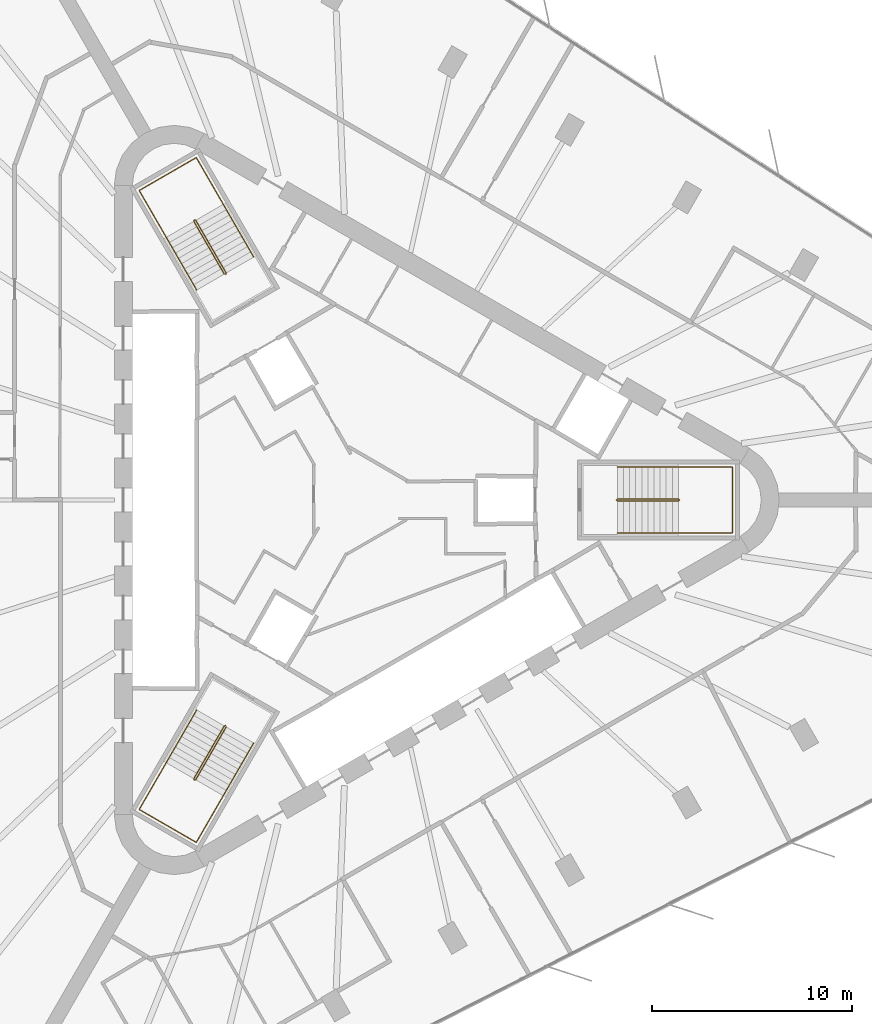
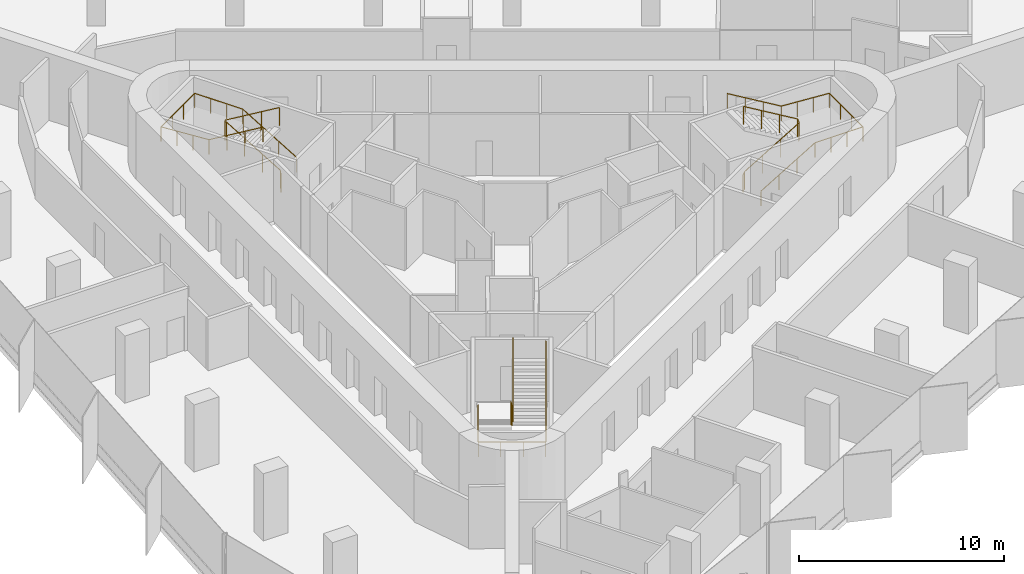
# One storey, part 14 of 14: 6 railings.
"""IFC4 building model written with IfcOpenShell, lengths in metres."""

from ifc_helpers import new_model, si_unit, direction, frame, origin, origin_2d, place, context, subcontext, project, spatial, circle, extrude, material, type_object, element, save


model = new_model("IFC4")

# Units and contexts
model_context = context("Model", 3, precision=1e-05, world=origin(), true_north=direction((0.0, 1.0)))
body_context = subcontext(model_context, "Body", "Model", "MODEL_VIEW")
ifc_project = project(units=[si_unit("LENGTHUNIT", "METRE"), si_unit("AREAUNIT", "SQUARE_METRE"), si_unit("VOLUMEUNIT", "CUBIC_METRE"), si_unit("PLANEANGLEUNIT", "RADIAN"), si_unit("MASSUNIT", "GRAM", prefix="KILO")], contexts=[model_context])

# Site, building, storey
site_placement = place(None, origin())
site = spatial("IfcSite", under=ifc_project, at=site_placement, CompositionType="ELEMENT")
building_placement = place(site_placement, origin())
building = spatial("IfcBuilding", under=site, at=building_placement, Name="Tanit Gate Tower", CompositionType="ELEMENT")
storey_placement = place(building_placement, frame((0.0, 0.0, 257.199951171875)))
storey = spatial("IfcBuildingStorey", under=building, at=storey_placement, Name="L58", CompositionType="ELEMENT", Elevation=257.199951171875)

# Railings
ifc_material_1 = material(Name="Stainless steel balustrade", Category="steel")
railing_type_1 = type_object("IfcRailingType", Name="INT-STAIR-GUARD", PredefinedType="GUARDRAIL", material=ifc_material_1)
railing_1_placement = place(storey_placement, frame((13.044921875, 0.0048828125, 0.0)))
element("IfcRailing", 1, at=railing_1_placement, inside=storey, type_object=railing_type_1, Name="L58 S1 stair guard 1", PredefinedType="GUARDRAIL", context=body_context, shape_type="SweptSolid", body=[
    extrude(circle(Radius=0.02392578125, at=origin_2d()), frame((0.0, 0.0, 1.076171875), z_axis=(0.0, -1.0, 0.0), x_axis=(1.0, 0.0, 0.0)), (0.0, 0.0, 1.0), 0.009765625),
    extrude(circle(Radius=0.02392578125, at=origin_2d()), frame((0.0, -0.009765625, 1.076171875), z_axis=(0.256435381639, -0.256435381639, 0.931923704005), x_axis=(0.707106781187, 0.707106781187, 0.0)), (0.0, 0.0, 1.0), 0.195068359375),
    extrude(circle(Radius=0.02392578125, at=origin_2d()), frame((0.050048828125, -0.059814453125, 1.2578125), z_axis=(0.859041732319, 0.0, 0.511905559781), x_axis=(0.0, 1.0, 0.0)), (0.0, 0.0, 1.0), 3.5517578125),
    extrude(circle(Radius=0.02392578125, at=origin_2d()), frame((3.10107421875, -0.059814453125, 3.076171875), z_axis=(0.707106781187, 0.707106781187, 0.0), x_axis=(-0.707106781187, 0.707106781187, 0.0)), (0.0, 0.0, 1.0), 0.07080078125),
    extrude(circle(Radius=0.02392578125, at=origin_2d()), frame((3.151123046875, -0.009765625, 3.076171875), z_axis=(0.0, 1.0, 0.0), x_axis=(-1.0, 0.0, 0.0)), (0.0, 0.0, 1.0), 0.009765625),
    extrude(circle(Radius=0.02392578125, at=origin_2d()), frame((3.151123046875, 0.0, 3.076171875), z_axis=(-0.256435381639, 0.256435381639, 0.931923704005), x_axis=(-0.707106781187, -0.707106781187, 0.0)), (0.0, 0.0, 1.0), 0.195068359375),
    extrude(circle(Radius=0.02392578125, at=origin_2d()), frame((3.10107421875, 0.050048828125, 3.2578125), z_axis=(-0.859041732319, 0.0, 0.511905559781), x_axis=(0.0, -1.0, 0.0)), (0.0, 0.0, 1.0), 3.5517578125),
    extrude(circle(Radius=0.02099609375, at=origin_2d()), origin(), (0.0, 0.0, 1.0), 1.052001953125),
    extrude(circle(Radius=0.02099609375, at=origin_2d()), frame((0.0, -0.009765625, 0.0)), (0.0, 0.0, 1.0), 1.052001953125),
    extrude(circle(Radius=0.02099609375, at=origin_2d()), frame((0.050048828125, -0.059814453125, 0.181884765625)), (0.0, 0.0, 1.0), 1.052001953125),
    extrude(circle(Radius=0.02099609375, at=origin_2d()), frame((1.067138671875, -0.059814453125, 0.787841796875)), (0.0, 0.0, 1.0), 1.052001953125),
    extrude(circle(Radius=0.02099609375, at=origin_2d()), frame((2.083984375, -0.059814453125, 1.39404296875)), (0.0, 0.0, 1.0), 1.052001953125),
    extrude(circle(Radius=0.02099609375, at=origin_2d()), frame((3.10107421875, -0.059814453125, 2.0)), (0.0, 0.0, 1.0), 1.052001953125),
    extrude(circle(Radius=0.02099609375, at=origin_2d()), frame((3.151123046875, -0.009765625, 2.0)), (0.0, 0.0, 1.0), 1.052001953125),
    extrude(circle(Radius=0.02099609375, at=origin_2d()), frame((3.151123046875, 0.0, 2.0)), (0.0, 0.0, 1.0), 1.052001953125),
    extrude(circle(Radius=0.02099609375, at=origin_2d()), frame((3.10107421875, 0.050048828125, 2.181884765625)), (0.0, 0.0, 1.0), 1.052001953125),
    extrude(circle(Radius=0.02099609375, at=origin_2d()), frame((2.083984375, 0.050048828125, 2.787841796875)), (0.0, 0.0, 1.0), 1.052001953125),
    extrude(circle(Radius=0.02099609375, at=origin_2d()), frame((1.067138671875, 0.050048828125, 3.39404296875)), (0.0, 0.0, 1.0), 1.052001953125),
    extrude(circle(Radius=0.02099609375, at=origin_2d()), frame((0.050048828125, 0.050048828125, 4.0)), (0.0, 0.0, 1.0), 1.052001953125),
])
railing_2_placement = place(storey_placement, frame((-6.527099609375, 11.29345703125, 0.0)))
element("IfcRailing", 2, at=railing_2_placement, inside=storey, type_object=railing_type_1, Name="L58 S2 stair guard 1", PredefinedType="GUARDRAIL", context=body_context, shape_type="SweptSolid", body=[
    extrude(circle(Radius=0.02392578125, at=origin_2d()), frame((0.0, 0.0, 1.076171875), z_axis=(0.868243142124, 0.496138938357, 0.0), x_axis=(-0.496138938357, 0.868243142124, 0.0)), (0.0, 0.0, 1.0), 0.01171875),
    extrude(circle(Radius=0.02392578125, at=origin_2d()), frame((0.01025390625, 0.005859375, 1.076171875), z_axis=(0.093819657636, 0.350260055175, 0.93194193252), x_axis=(-0.965948051503, 0.258736085224, 0.0)), (0.0, 0.0, 1.0), 0.195068359375),
    extrude(circle(Radius=0.02392578125, at=origin_2d()), frame((0.028564453125, 0.07421875, 1.2578125), z_axis=(-0.429472220917, 0.743822504634, 0.512134448226), x_axis=(-0.866012246495, -0.500022788402, 0.0)), (0.0, 0.0, 1.0), 3.550048828125),
    extrude(circle(Radius=0.02392578125, at=origin_2d()), frame((-1.49609375, 2.71484375, 3.076171875), z_axis=(-0.965715946433, 0.259601060869, 0.0), x_axis=(-0.259601060869, -0.965715946433, 0.0)), (0.0, 0.0, 1.0), 0.070556640625),
    extrude(circle(Radius=0.02392578125, at=origin_2d()), frame((-1.564208984375, 2.733154296875, 3.076171875), z_axis=(-0.873197702015, -0.487366159264, 0.0), x_axis=(0.487366159264, -0.873197702015, 0.0)), (0.0, 0.0, 1.0), 0.011962890625),
    extrude(circle(Radius=0.02392578125, at=origin_2d()), frame((-1.57470703125, 2.727294921875, 3.076171875), z_axis=(-0.093819657636, -0.350260055175, 0.93194193252), x_axis=(0.965948051503, -0.258736085224, 0.0)), (0.0, 0.0, 1.0), 0.195068359375),
    extrude(circle(Radius=0.02392578125, at=origin_2d()), frame((-1.593017578125, 2.658935546875, 3.2578125), z_axis=(0.429472220917, -0.743822504634, 0.512134448226), x_axis=(0.866012246495, 0.500022788402, 0.0)), (0.0, 0.0, 1.0), 3.550048828125),
    extrude(circle(Radius=0.02099609375, at=origin_2d()), origin(), (0.0, 0.0, 1.0), 1.052001953125),
    extrude(circle(Radius=0.02099609375, at=origin_2d()), frame((0.01025390625, 0.005859375, 0.0)), (0.0, 0.0, 1.0), 1.052001953125),
    extrude(circle(Radius=0.02099609375, at=origin_2d()), frame((0.028564453125, 0.07421875, 0.181884765625)), (0.0, 0.0, 1.0), 1.052001953125),
    extrude(circle(Radius=0.02099609375, at=origin_2d()), frame((-0.479736328125, 0.954345703125, 0.787841796875)), (0.0, 0.0, 1.0), 1.052001953125),
    extrude(circle(Radius=0.02099609375, at=origin_2d()), frame((-0.98779296875, 1.834716796875, 1.39404296875)), (0.0, 0.0, 1.0), 1.052001953125),
    extrude(circle(Radius=0.02099609375, at=origin_2d()), frame((-1.49609375, 2.71484375, 2.0)), (0.0, 0.0, 1.0), 1.052001953125),
    extrude(circle(Radius=0.02099609375, at=origin_2d()), frame((-1.564208984375, 2.733154296875, 2.0)), (0.0, 0.0, 1.0), 1.052001953125),
    extrude(circle(Radius=0.02099609375, at=origin_2d()), frame((-1.57470703125, 2.727294921875, 2.0)), (0.0, 0.0, 1.0), 1.052001953125),
    extrude(circle(Radius=0.02099609375, at=origin_2d()), frame((-1.593017578125, 2.658935546875, 2.181884765625)), (0.0, 0.0, 1.0), 1.052001953125),
    extrude(circle(Radius=0.02099609375, at=origin_2d()), frame((-1.084716796875, 1.77880859375, 2.787841796875)), (0.0, 0.0, 1.0), 1.052001953125),
    extrude(circle(Radius=0.02099609375, at=origin_2d()), frame((-0.57666015625, 0.8984375, 3.39404296875)), (0.0, 0.0, 1.0), 1.052001953125),
    extrude(circle(Radius=0.02099609375, at=origin_2d()), frame((-0.068359375, 0.018310546875, 4.0)), (0.0, 0.0, 1.0), 1.052001953125),
])
railing_3_placement = place(storey_placement, frame((-6.51806640625, -11.2998046875, 0.0)))
element("IfcRailing", 3, at=railing_3_placement, inside=storey, type_object=railing_type_1, Name="L58 S3 stair guard 1", PredefinedType="GUARDRAIL", context=body_context, shape_type="SweptSolid", body=[
    extrude(circle(Radius=0.02392578125, at=origin_2d()), frame((0.0, 0.0, 1.076171875), z_axis=(-0.874157276122, 0.485642931179, 0.0), x_axis=(-0.485642931179, -0.874157276122, 0.0)), (0.0, 0.0, 1.0), 0.010009765625),
    extrude(circle(Radius=0.02392578125, at=origin_2d()), frame((-0.0087890625, 0.0048828125, 1.076171875), z_axis=(-0.350300895388, -0.092579522353, 0.932050596658), x_axis=(0.255512919477, -0.966805641264, 0.0)), (0.0, 0.0, 1.0), 0.195068359375),
    extrude(circle(Radius=0.02392578125, at=origin_2d()), frame((-0.0771484375, -0.01318359375, 1.2578125), z_axis=(-0.429486674828, -0.743971555965, 0.511905772639), x_axis=(0.866048339477, -0.499960272111, 0.0)), (0.0, 0.0, 1.0), 3.5517578125),
    extrude(circle(Radius=0.02392578125, at=origin_2d()), frame((-1.6025390625, -2.655517578125, 3.076171875), z_axis=(0.258736085224, -0.965948051503, 0.0), x_axis=(0.965948051503, 0.258736085224, 0.0)), (0.0, 0.0, 1.0), 0.07080078125),
    extrude(circle(Radius=0.02392578125, at=origin_2d()), frame((-1.584228515625, -2.723876953125, 3.076171875), z_axis=(0.868243142124, -0.496138938357, 0.0), x_axis=(0.496138938357, 0.868243142124, 0.0)), (0.0, 0.0, 1.0), 0.009765625),
    extrude(circle(Radius=0.02392578125, at=origin_2d()), frame((-1.57568359375, -2.728759765625, 3.076171875), z_axis=(0.350260055175, 0.093819657636, 0.93194193252), x_axis=(-0.258736085224, 0.965948051503, 0.0)), (0.0, 0.0, 1.0), 0.195068359375),
    extrude(circle(Radius=0.02392578125, at=origin_2d()), frame((-1.50732421875, -2.71044921875, 3.2578125), z_axis=(0.429564698942, 0.743918894535, 0.511916836777), x_axis=(-0.865993683553, 0.500054937028, 0.0)), (0.0, 0.0, 1.0), 3.551513671875),
    extrude(circle(Radius=0.02099609375, at=origin_2d()), origin(), (0.0, 0.0, 1.0), 1.052001953125),
    extrude(circle(Radius=0.02099609375, at=origin_2d()), frame((-0.0087890625, 0.0048828125, 0.0)), (0.0, 0.0, 1.0), 1.052001953125),
    extrude(circle(Radius=0.02099609375, at=origin_2d()), frame((-0.0771484375, -0.01318359375, 0.181884765625)), (0.0, 0.0, 1.0), 1.052001953125),
    extrude(circle(Radius=0.02099609375, at=origin_2d()), frame((-0.585693359375, -0.89404296875, 0.787841796875)), (0.0, 0.0, 1.0), 1.052001953125),
    extrude(circle(Radius=0.02099609375, at=origin_2d()), frame((-1.093994140625, -1.774658203125, 1.39404296875)), (0.0, 0.0, 1.0), 1.052001953125),
    extrude(circle(Radius=0.02099609375, at=origin_2d()), frame((-1.6025390625, -2.655517578125, 2.0)), (0.0, 0.0, 1.0), 1.052001953125),
    extrude(circle(Radius=0.02099609375, at=origin_2d()), frame((-1.584228515625, -2.723876953125, 2.0)), (0.0, 0.0, 1.0), 1.052001953125),
    extrude(circle(Radius=0.02099609375, at=origin_2d()), frame((-1.57568359375, -2.728759765625, 2.0)), (0.0, 0.0, 1.0), 1.052001953125),
    extrude(circle(Radius=0.02099609375, at=origin_2d()), frame((-1.50732421875, -2.71044921875, 2.181884765625)), (0.0, 0.0, 1.0), 1.052001953125),
    extrude(circle(Radius=0.02099609375, at=origin_2d()), frame((-0.998779296875, -1.829833984375, 2.787841796875)), (0.0, 0.0, 1.0), 1.052001953125),
    extrude(circle(Radius=0.02099609375, at=origin_2d()), frame((-0.490234375, -0.948974609375, 3.39404296875)), (0.0, 0.0, 1.0), 1.052001953125),
    extrude(circle(Radius=0.02099609375, at=origin_2d()), frame((0.018310546875, -0.068359375, 4.0)), (0.0, 0.0, 1.0), 1.052001953125),
])
ifc_material_2 = material(Name="Stainless steel handrail", Category="steel")
railing_type_2 = type_object("IfcRailingType", Name="INT-STAIR-HANDRAIL", PredefinedType="HANDRAIL", material=ifc_material_2)
railing_4_placement = place(storey_placement, frame((13.094970703125, -1.64990234375, 0.181884765625)))
element("IfcRailing", 4, at=railing_4_placement, inside=storey, type_object=railing_type_2, Name="L58 S1 stair handrail 1", PredefinedType="HANDRAIL", context=body_context, shape_type="SweptSolid", body=[
    extrude(circle(Radius=0.02392578125, at=origin_2d()), frame((0.0, 0.0, 0.8759765625), z_axis=(0.859041732319, 0.0, 0.511905559781), x_axis=(0.0, 1.0, 0.0)), (0.0, 0.0, 1.0), 3.5517578125),
    extrude(circle(Radius=0.02392578125, at=origin_2d()), frame((3.051025390625, 0.0, 2.69384765625), z_axis=(1.0, 0.0, 0.0), x_axis=(0.0, 1.0, 0.0)), (0.0, 0.0, 1.0), 2.7041015625),
    extrude(circle(Radius=0.02392578125, at=origin_2d()), frame((5.755126953125, 0.0, 2.69384765625), z_axis=(0.0, 1.0, 0.0), x_axis=(-1.0, 0.0, 0.0)), (0.0, 0.0, 1.0), 3.2998046875),
    extrude(circle(Radius=0.02392578125, at=origin_2d()), frame((5.755126953125, 3.2998046875, 2.69384765625), z_axis=(-0.997745521698, 0.0, 0.067110907698), x_axis=(0.0, -1.0, 0.0)), (0.0, 0.0, 1.0), 2.710205078125),
    extrude(circle(Radius=0.02392578125, at=origin_2d()), frame((3.051025390625, 3.2998046875, 2.8759765625), z_axis=(-0.859041732319, 0.0, 0.511905559781), x_axis=(0.0, -1.0, 0.0)), (0.0, 0.0, 1.0), 3.5517578125),
    extrude(circle(Radius=0.02099609375, at=origin_2d()), origin(), (0.0, 0.0, 1.0), 0.851806640625),
    extrude(circle(Radius=0.02099609375, at=origin_2d()), frame((1.01708984375, 0.0, 0.60595703125)), (0.0, 0.0, 1.0), 0.851806640625),
    extrude(circle(Radius=0.02099609375, at=origin_2d()), frame((2.033935546875, 0.0, 1.212158203125)), (0.0, 0.0, 1.0), 0.851806640625),
    extrude(circle(Radius=0.02099609375, at=origin_2d()), frame((3.051025390625, 0.0, 1.818115234375)), (0.0, 0.0, 1.0), 0.851806640625),
    extrude(circle(Radius=0.02099609375, at=origin_2d()), frame((3.952392578125, 0.0, 1.818115234375)), (0.0, 0.0, 1.0), 0.851806640625),
    extrude(circle(Radius=0.02099609375, at=origin_2d()), frame((4.853759765625, 0.0, 1.818115234375)), (0.0, 0.0, 1.0), 0.851806640625),
    extrude(circle(Radius=0.02099609375, at=origin_2d()), frame((5.755126953125, 0.0, 1.818115234375)), (0.0, 0.0, 1.0), 0.851806640625),
    extrude(circle(Radius=0.02099609375, at=origin_2d()), frame((5.755126953125, 1.099853515625, 1.818115234375)), (0.0, 0.0, 1.0), 0.851806640625),
    extrude(circle(Radius=0.02099609375, at=origin_2d()), frame((5.755126953125, 2.199951171875, 1.818115234375)), (0.0, 0.0, 1.0), 0.851806640625),
    extrude(circle(Radius=0.02099609375, at=origin_2d()), frame((5.755126953125, 3.2998046875, 1.818115234375)), (0.0, 0.0, 1.0), 0.851806640625),
    extrude(circle(Radius=0.02099609375, at=origin_2d()), frame((4.853759765625, 3.2998046875, 1.878662109375)), (0.0, 0.0, 1.0), 0.851806640625),
    extrude(circle(Radius=0.02099609375, at=origin_2d()), frame((3.952392578125, 3.2998046875, 1.939453125)), (0.0, 0.0, 1.0), 0.851806640625),
    extrude(circle(Radius=0.02099609375, at=origin_2d()), frame((3.051025390625, 3.2998046875, 2.0)), (0.0, 0.0, 1.0), 0.851806640625),
    extrude(circle(Radius=0.02099609375, at=origin_2d()), frame((2.033935546875, 3.2998046875, 2.60595703125)), (0.0, 0.0, 1.0), 0.851806640625),
    extrude(circle(Radius=0.02099609375, at=origin_2d()), frame((1.01708984375, 3.2998046875, 3.212158203125)), (0.0, 0.0, 1.0), 0.851806640625),
    extrude(circle(Radius=0.02099609375, at=origin_2d()), frame((0.0, 3.2998046875, 3.818115234375)), (0.0, 0.0, 1.0), 0.851806640625),
])
railing_5_placement = place(storey_placement, frame((-5.1181640625, 12.164794921875, 0.181884765625)))
element("IfcRailing", 5, at=railing_5_placement, inside=storey, type_object=railing_type_2, Name="L58 S2 stair handrail 1", PredefinedType="HANDRAIL", context=body_context, shape_type="SweptSolid", body=[
    extrude(circle(Radius=0.02392578125, at=origin_2d()), frame((0.0, 0.0, 0.8759765625), z_axis=(-0.429416132344, 0.743844472684, 0.512149573602), x_axis=(-0.866046917185, -0.499962735845, 0.0)), (0.0, 0.0, 1.0), 3.550048828125),
    extrude(circle(Radius=0.02392578125, at=origin_2d()), frame((-1.5244140625, 2.640625, 2.69384765625), z_axis=(-0.500019123664, 0.86601436245, 0.0), x_axis=(-0.86601436245, -0.500019123664, 0.0)), (0.0, 0.0, 1.0), 2.70703125),
    extrude(circle(Radius=0.02392578125, at=origin_2d()), frame((-2.8779296875, 4.98486328125, 2.69384765625), z_axis=(-0.866008176907, -0.50002983664, 0.0), x_axis=(0.50002983664, -0.866008176907, 0.0)), (0.0, 0.0, 1.0), 3.300048828125),
    extrude(circle(Radius=0.02392578125, at=origin_2d()), frame((-5.73583984375, 3.334716796875, 2.69384765625), z_axis=(0.498932980467, -0.864043208057, 0.067046369128), x_axis=(0.865991810323, 0.500058181068, 0.0)), (0.0, 0.0, 1.0), 2.712890625),
    extrude(circle(Radius=0.02392578125, at=origin_2d()), frame((-4.38232421875, 0.99072265625, 2.8759765625), z_axis=(0.429450252752, -0.743853224023, 0.512108251761), x_axis=(0.866032263162, 0.499988119021, 0.0)), (0.0, 0.0, 1.0), 3.55029296875),
    extrude(circle(Radius=0.02099609375, at=origin_2d()), origin(), (0.0, 0.0, 1.0), 0.851806640625),
    extrude(circle(Radius=0.02099609375, at=origin_2d()), frame((-0.508056640625, 0.880126953125, 0.60595703125)), (0.0, 0.0, 1.0), 0.851806640625),
    extrude(circle(Radius=0.02099609375, at=origin_2d()), frame((-1.016357421875, 1.760498046875, 1.212158203125)), (0.0, 0.0, 1.0), 0.851806640625),
    extrude(circle(Radius=0.02099609375, at=origin_2d()), frame((-1.5244140625, 2.640625, 1.818115234375)), (0.0, 0.0, 1.0), 0.851806640625),
    extrude(circle(Radius=0.02099609375, at=origin_2d()), frame((-1.9755859375, 3.422119140625, 1.818115234375)), (0.0, 0.0, 1.0), 0.851806640625),
    extrude(circle(Radius=0.02099609375, at=origin_2d()), frame((-2.4267578125, 4.203369140625, 1.818115234375)), (0.0, 0.0, 1.0), 0.851806640625),
    extrude(circle(Radius=0.02099609375, at=origin_2d()), frame((-2.8779296875, 4.98486328125, 1.818115234375)), (0.0, 0.0, 1.0), 0.851806640625),
    extrude(circle(Radius=0.02099609375, at=origin_2d()), frame((-3.83056640625, 4.434814453125, 1.818115234375)), (0.0, 0.0, 1.0), 0.851806640625),
    extrude(circle(Radius=0.02099609375, at=origin_2d()), frame((-4.783203125, 3.884765625, 1.818115234375)), (0.0, 0.0, 1.0), 0.851806640625),
    extrude(circle(Radius=0.02099609375, at=origin_2d()), frame((-5.73583984375, 3.334716796875, 1.818115234375)), (0.0, 0.0, 1.0), 0.851806640625),
    extrude(circle(Radius=0.02099609375, at=origin_2d()), frame((-5.28466796875, 2.553466796875, 1.878662109375)), (0.0, 0.0, 1.0), 0.851806640625),
    extrude(circle(Radius=0.02099609375, at=origin_2d()), frame((-4.83349609375, 1.77197265625, 1.939453125)), (0.0, 0.0, 1.0), 0.851806640625),
    extrude(circle(Radius=0.02099609375, at=origin_2d()), frame((-4.38232421875, 0.99072265625, 2.0)), (0.0, 0.0, 1.0), 0.851806640625),
    extrude(circle(Radius=0.02099609375, at=origin_2d()), frame((-3.8740234375, 0.1103515625, 2.60595703125)), (0.0, 0.0, 1.0), 0.851806640625),
    extrude(circle(Radius=0.02099609375, at=origin_2d()), frame((-3.365966796875, -0.769775390625, 3.212158203125)), (0.0, 0.0, 1.0), 0.851806640625),
    extrude(circle(Radius=0.02099609375, at=origin_2d()), frame((-2.857666015625, -1.650146484375, 3.818115234375)), (0.0, 0.0, 1.0), 0.851806640625),
])
railing_6_placement = place(storey_placement, frame((-7.9765625, -10.515625, 0.181884765625)))
element("IfcRailing", 6, at=railing_6_placement, inside=storey, type_object=railing_type_2, Name="L58 S3 stair handrail 1", PredefinedType="HANDRAIL", context=body_context, shape_type="SweptSolid", body=[
    extrude(circle(Radius=0.02392578125, at=origin_2d()), frame((0.0, 0.0, 0.8759765625), z_axis=(-0.429486674828, -0.743971555965, 0.511905772639), x_axis=(0.866048339477, -0.499960272111, 0.0)), (0.0, 0.0, 1.0), 3.5517578125),
    extrude(circle(Radius=0.02392578125, at=origin_2d()), frame((-1.525390625, -2.642333984375, 2.69384765625), z_axis=(-0.50004290449, -0.866000631449, 0.0), x_axis=(0.866000631449, -0.50004290449, 0.0)), (0.0, 0.0, 1.0), 2.703857421875),
    extrude(circle(Radius=0.02392578125, at=origin_2d()), frame((-2.87744140625, -4.98388671875, 2.69384765625), z_axis=(0.866008176907, -0.50002983664, 0.0), x_axis=(0.50002983664, 0.866008176907, 0.0)), (0.0, 0.0, 1.0), 3.300048828125),
    extrude(circle(Radius=0.02392578125, at=origin_2d()), frame((-0.01953125, -6.634033203125, 2.69384765625), z_axis=(0.498876541924, 0.864070745781, 0.067111416348), x_axis=(-0.866023205937, 0.500003806764, 0.0)), (0.0, 0.0, 1.0), 2.710205078125),
    extrude(circle(Radius=0.02392578125, at=origin_2d()), frame((1.33251953125, -4.292236328125, 2.8759765625), z_axis=(0.429486674828, 0.743971555965, 0.511905772639), x_axis=(-0.866048339477, 0.499960272111, 0.0)), (0.0, 0.0, 1.0), 3.5517578125),
    extrude(circle(Radius=0.02099609375, at=origin_2d()), origin(), (0.0, 0.0, 1.0), 0.851806640625),
    extrude(circle(Radius=0.02099609375, at=origin_2d()), frame((-0.508544921875, -0.880859375, 0.60595703125)), (0.0, 0.0, 1.0), 0.851806640625),
    extrude(circle(Radius=0.02099609375, at=origin_2d()), frame((-1.016845703125, -1.761474609375, 1.212158203125)), (0.0, 0.0, 1.0), 0.851806640625),
    extrude(circle(Radius=0.02099609375, at=origin_2d()), frame((-1.525390625, -2.642333984375, 1.818115234375)), (0.0, 0.0, 1.0), 0.851806640625),
    extrude(circle(Radius=0.02099609375, at=origin_2d()), frame((-1.97607421875, -3.4228515625, 1.818115234375)), (0.0, 0.0, 1.0), 0.851806640625),
    extrude(circle(Radius=0.02099609375, at=origin_2d()), frame((-2.4267578125, -4.203369140625, 1.818115234375)), (0.0, 0.0, 1.0), 0.851806640625),
    extrude(circle(Radius=0.02099609375, at=origin_2d()), frame((-2.87744140625, -4.98388671875, 1.818115234375)), (0.0, 0.0, 1.0), 0.851806640625),
    extrude(circle(Radius=0.02099609375, at=origin_2d()), frame((-1.9248046875, -5.533935546875, 1.818115234375)), (0.0, 0.0, 1.0), 0.851806640625),
    extrude(circle(Radius=0.02099609375, at=origin_2d()), frame((-0.97216796875, -6.083984375, 1.818115234375)), (0.0, 0.0, 1.0), 0.851806640625),
    extrude(circle(Radius=0.02099609375, at=origin_2d()), frame((-0.01953125, -6.634033203125, 1.818115234375)), (0.0, 0.0, 1.0), 0.851806640625),
    extrude(circle(Radius=0.02099609375, at=origin_2d()), frame((0.43115234375, -5.853515625, 1.878662109375)), (0.0, 0.0, 1.0), 0.851806640625),
    extrude(circle(Radius=0.02099609375, at=origin_2d()), frame((0.8818359375, -5.07275390625, 1.939453125)), (0.0, 0.0, 1.0), 0.851806640625),
    extrude(circle(Radius=0.02099609375, at=origin_2d()), frame((1.33251953125, -4.292236328125, 2.0)), (0.0, 0.0, 1.0), 0.851806640625),
    extrude(circle(Radius=0.02099609375, at=origin_2d()), frame((1.841064453125, -3.411376953125, 2.60595703125)), (0.0, 0.0, 1.0), 0.851806640625),
    extrude(circle(Radius=0.02099609375, at=origin_2d()), frame((2.349365234375, -2.53076171875, 3.212158203125)), (0.0, 0.0, 1.0), 0.851806640625),
    extrude(circle(Radius=0.02099609375, at=origin_2d()), frame((2.85791015625, -1.64990234375, 3.818115234375)), (0.0, 0.0, 1.0), 0.851806640625),
])

save(model, "model.ifc")
